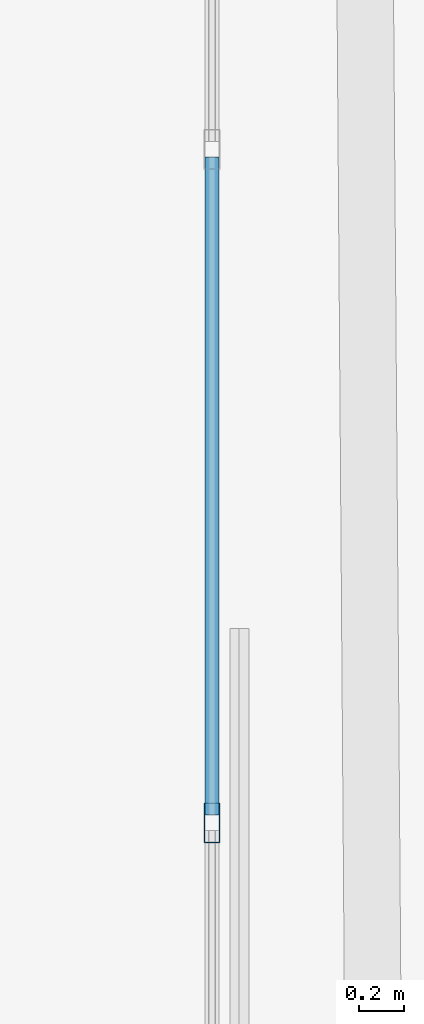
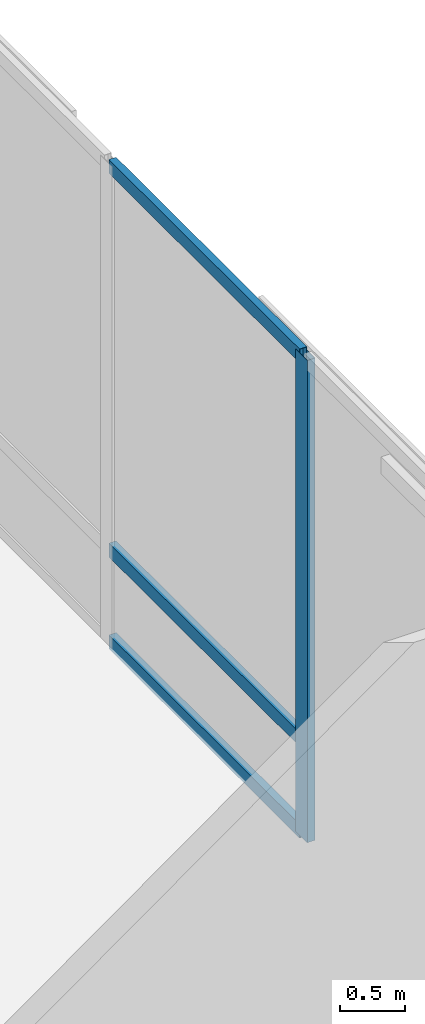
# One storey, part 24 of 48: 4 members, 1 element without a shape of its own.
"""IFC4 building model written with IfcOpenShell, lengths in metres."""

from ifc_helpers import new_model, si_unit, direction, frame, origin, origin_2d, place, context, subcontext, project, spatial, hollow_rectangle, extrude, material, layer, layer_set, material_profile, profile_set, type_object, element, aggregate, save


model = new_model("IFC4")

# Units and contexts
model_context = context("Model", 3, precision=1e-05, world=origin(), true_north=direction((0.0, 1.0)))
body_context = subcontext(model_context, "Body", "Model", "MODEL_VIEW")
ifc_project = project(units=[si_unit("LENGTHUNIT", "METRE"), si_unit("AREAUNIT", "SQUARE_METRE"), si_unit("VOLUMEUNIT", "CUBIC_METRE"), si_unit("PLANEANGLEUNIT", "RADIAN"), si_unit("MASSUNIT", "GRAM", prefix="KILO")], contexts=[model_context])

# Site, building, storey
site_placement = place(None, origin())
site = spatial("IfcSite", under=ifc_project, at=site_placement, CompositionType="ELEMENT")
building_placement = place(site_placement, origin())
building = spatial("IfcBuilding", under=site, at=building_placement, Name="Caelvoria Tower", CompositionType="ELEMENT")
storey_placement = place(building_placement, frame((0.0, 0.0, 90.39990234375)))
storey = spatial("IfcBuildingStorey", under=building, at=storey_placement, Name="L23", CompositionType="ELEMENT", Elevation=90.39990234375)

# Curtain wall, members
ifc_material_1 = material(Name="Anodised Bronze Aluminium and Low-E Glass", Category="aluminium")
ifc_layer = layer(ifc_material_1, 0.2099609375, Name="Anodised Bronze Aluminium and Low-E Glass")
ifc_layer_set = layer_set([ifc_layer], Name="CW System 3 Sky Lobby Double-Height Acoustic Facade - Anodised Bronze Aluminium and Low-E Glass")
curtain_wall_type = type_object("IfcCurtainWallType", Name="CW System 3 Sky Lobby Double-Height Acoustic Facade", PredefinedType="NOTDEFINED", material=ifc_layer_set)
curtain_wall_placement = place(storey_placement, origin())
curtain_wall = element("IfcCurtainWall", 1, at=curtain_wall_placement, inside=storey, type_object=curtain_wall_type, Name="CW-03 Curtain Wall L23-E2", PredefinedType="NOTDEFINED")
ifc_material_2 = material(Name="Anodised Bronze Architectural Aluminium", Category="aluminium")
ifc_material_profile_1 = material_profile(ifc_material_2, hollow_rectangle(XDim=0.070068359375, YDim=0.179931640625, WallThickness=0.00390625, at=origin_2d()), Name="Anodised Bronze Architectural Aluminium")
ifc_profile_set_1 = profile_set([ifc_material_profile_1], Name="CW_MULL_70X180 - Anodised Bronze Architectural Aluminium")
member_type_1 = type_object("IfcMemberType", Name="Curtain Wall Mullion 70x180 Bronze Aluminium", PredefinedType="MULLION", material=ifc_profile_set_1)
member_1_placement = place(storey_placement, frame((69.73681640625, 24.439453125, 0.0), z_axis=(0.0, 0.0, 1.0), x_axis=(-1.0, 0.0, 0.0)))
member_1 = element("IfcMember", 2, at=member_1_placement, type_object=member_type_1, Name="CW-03 mullion 4", PredefinedType="MULLION", context=body_context, shape_type="SweptSolid", body=[
    extrude(hollow_rectangle(XDim=0.070068359375, YDim=0.179931640625, WallThickness=0.00390625, at=origin_2d()), origin(), (0.0, 0.0, 1.0), 4.56005859375),
])
ifc_material_profile_2 = material_profile(ifc_material_2, hollow_rectangle(XDim=0.06494140625, YDim=0.1298828125, WallThickness=0.00341796875, at=origin_2d()), Name="Anodised Bronze Architectural Aluminium")
ifc_profile_set_2 = profile_set([ifc_material_profile_2], Name="CW_TRAN_65X130 - Anodised Bronze Architectural Aluminium")
member_type_2 = type_object("IfcMemberType", Name="Curtain Wall Transom 65x130 Bronze Aluminium", PredefinedType="USERDEFINED", material=ifc_profile_set_2)
member_2_placement = place(storey_placement, frame((69.73681640625, 24.474365234375, 0.03271484375), z_axis=(0.0, 1.0, 0.0), x_axis=(-1.0, 0.0, 0.0)))
member_2 = element("IfcMember", 3, at=member_2_placement, type_object=member_type_2, Name="CW-03 transom 4.1", ObjectType="TRANSOM", PredefinedType="USERDEFINED", context=body_context, shape_type="SweptSolid", body=[
    extrude(hollow_rectangle(XDim=0.06494140625, YDim=0.1298828125, WallThickness=0.00341796875, at=origin_2d()), origin(), (0.0, 0.0, 1.0), 2.954345703125),
])
member_3_placement = place(storey_placement, frame((69.73681640625, 24.474365234375, 0.900146484375), z_axis=(0.0, 1.0, 0.0), x_axis=(-1.0, 0.0, 0.0)))
member_3 = element("IfcMember", 4, at=member_3_placement, type_object=member_type_2, Name="CW-03 transom 4.2", ObjectType="TRANSOM", PredefinedType="USERDEFINED", context=body_context, shape_type="SweptSolid", body=[
    extrude(hollow_rectangle(XDim=0.06494140625, YDim=0.1298828125, WallThickness=0.00341796875, at=origin_2d()), origin(), (0.0, 0.0, 1.0), 2.954345703125),
])
member_4_placement = place(storey_placement, frame((69.73681640625, 24.474365234375, 4.527587890625), z_axis=(0.0, 1.0, 0.0), x_axis=(-1.0, 0.0, 0.0)))
member_4 = element("IfcMember", 5, at=member_4_placement, type_object=member_type_2, Name="CW-03 transom 4.3", ObjectType="TRANSOM", PredefinedType="USERDEFINED", context=body_context, shape_type="SweptSolid", body=[
    extrude(hollow_rectangle(XDim=0.06494140625, YDim=0.1298828125, WallThickness=0.00341796875, at=origin_2d()), origin(), (0.0, 0.0, 1.0), 2.954345703125),
])
aggregate(curtain_wall, [member_1, member_2, member_3, member_4])

save(model, "model.ifc")
